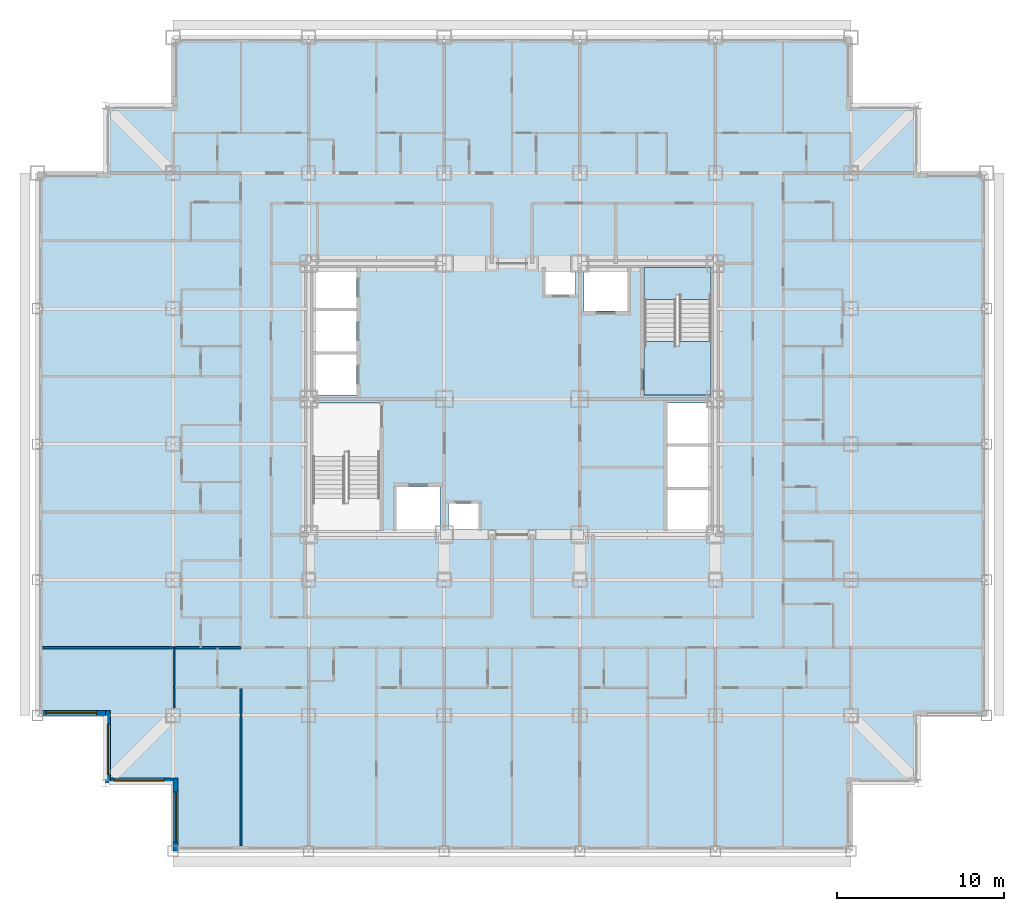
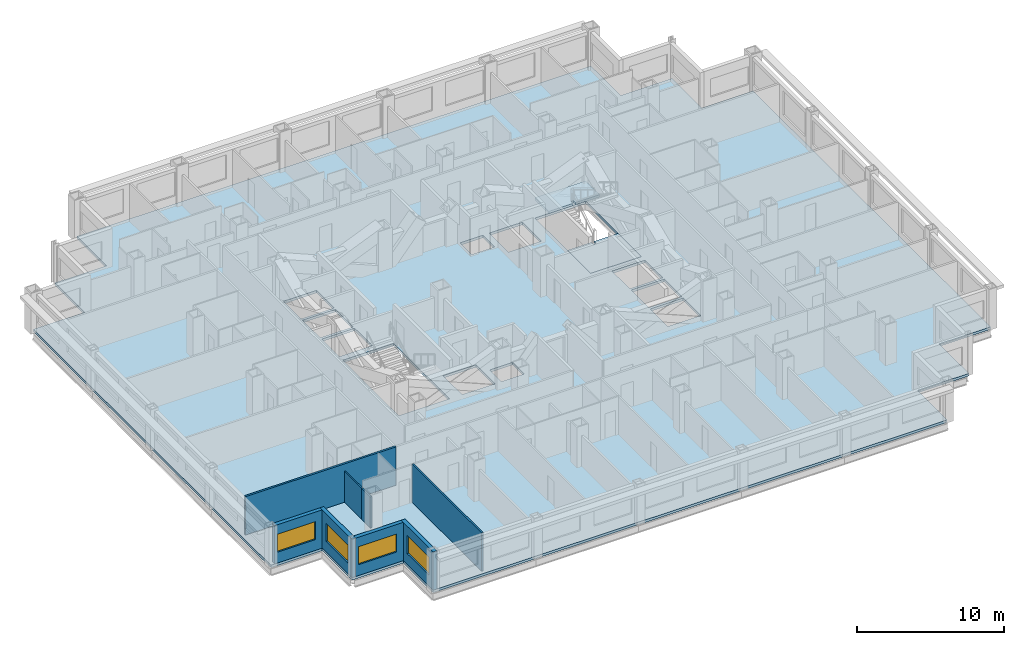
# One storey, part 3 of 12: 8 walls, 4 windows, 3 slabs, 4 openings, 1 element without a shape of its own.
"""IFC4 building model written with IfcOpenShell, lengths in metres."""

from ifc_helpers import new_model, si_unit, direction, frame, frame_2d, origin, place, context, subcontext, project, spatial, polyline, rectangle, outline, extrude, material, layer, layer_set, type_object, element, fill, aggregate, save


model = new_model("IFC4")

# Units and contexts
model_context = context("Model", 3, precision=1e-05, world=origin(), true_north=direction((0.0, 1.0)))
body_context = subcontext(model_context, "Body", "Model", "MODEL_VIEW")
ifc_project = project(units=[si_unit("LENGTHUNIT", "METRE"), si_unit("AREAUNIT", "SQUARE_METRE"), si_unit("VOLUMEUNIT", "CUBIC_METRE"), si_unit("PLANEANGLEUNIT", "RADIAN"), si_unit("MASSUNIT", "GRAM", prefix="KILO")], contexts=[model_context])

# Site, building, storey
site_placement = place(None, origin())
site = spatial("IfcSite", under=ifc_project, at=site_placement, CompositionType="ELEMENT")
building_placement = place(site_placement, origin())
building = spatial("IfcBuilding", under=site, at=building_placement, Name="Kopane Lantern Tower", CompositionType="ELEMENT")
storey_placement = place(building_placement, frame((0.0, 0.0, 120.39990234375)))
storey = spatial("IfcBuildingStorey", under=building, at=storey_placement, Name="L30", CompositionType="ELEMENT", Elevation=120.39990234375)

# Slab
ifc_material_1 = material(Name="Concrete C40/50", Category="concrete")
ifc_layer_1 = layer(ifc_material_1, 0.2099609375)
ifc_layer_set_1 = layer_set([ifc_layer_1], Name="SLAB 210 COMPOSITE")
slab_type_1 = type_object("IfcSlabType", Name="SLAB 210 COMPOSITE", PredefinedType="FLOOR", material=ifc_layer_set_1)
slab_1_placement = place(storey_placement, frame((0.0, 0.0, -0.2099609375)))
element("IfcSlab", 1, at=slab_1_placement, inside=storey, type_object=slab_type_1, Name="Floor slab L30", PredefinedType="FLOOR", context=body_context, shape_type="SweptSolid", body=[
    extrude(outline(polyline([(8.10009765625, 5.39990234375), (48.60009765625, 5.39990234375), (48.60009765625, 9.449951171875), (52.64990234375, 9.449951171875), (52.64990234375, 13.5), (56.699951171875, 13.5), (56.699951171875, 45.89990234375), (52.64990234375, 45.89990234375), (52.64990234375, 49.949951171875), (48.60009765625, 49.949951171875), (48.60009765625, 54.0), (8.10009765625, 54.0), (8.10009765625, 49.949951171875), (4.050048828125, 49.949951171875), (4.050048828125, 45.89990234375), (0.0, 45.89990234375), (0.0, 13.5), (4.050048828125, 13.5), (4.050048828125, 9.449951171875), (8.10009765625, 9.449951171875), (8.10009765625, 5.39990234375)]), holes=[polyline([(16.449951171875, 24.550048828125), (20.449951171875, 24.550048828125), (20.449951171875, 32.14990234375), (16.449951171875, 32.14990234375), (16.449951171875, 24.550048828125)]), polyline([(36.25, 32.64990234375), (40.25, 32.64990234375), (40.25, 40.25), (36.25, 40.25), (36.25, 32.64990234375)]), polyline([(16.449951171875, 32.64990234375), (19.050048828125, 32.64990234375), (19.050048828125, 35.050048828125), (16.449951171875, 35.050048828125), (16.449951171875, 32.64990234375)]), polyline([(16.449951171875, 35.25), (19.050048828125, 35.25), (19.050048828125, 37.64990234375), (16.449951171875, 37.64990234375), (16.449951171875, 35.25)]), polyline([(16.449951171875, 37.85009765625), (19.050048828125, 37.85009765625), (19.050048828125, 40.25), (16.449951171875, 40.25), (16.449951171875, 37.85009765625)]), polyline([(37.64990234375, 24.550048828125), (40.25, 24.550048828125), (40.25, 26.949951171875), (37.64990234375, 26.949951171875), (37.64990234375, 24.550048828125)]), polyline([(37.64990234375, 27.14990234375), (40.25, 27.14990234375), (40.25, 29.550048828125), (37.64990234375, 29.550048828125), (37.64990234375, 27.14990234375)]), polyline([(37.64990234375, 29.75), (40.25, 29.75), (40.25, 32.14990234375), (37.64990234375, 32.14990234375), (37.64990234375, 29.75)]), polyline([(21.449951171875, 24.550048828125), (24.050048828125, 24.550048828125), (24.050048828125, 27.14990234375), (21.449951171875, 27.14990234375), (21.449951171875, 24.550048828125)]), polyline([(32.64990234375, 37.64990234375), (35.25, 37.64990234375), (35.25, 40.25), (32.64990234375, 40.25), (32.64990234375, 37.64990234375)]), polyline([(24.550048828125, 24.550048828125), (26.35009765625, 24.550048828125), (26.35009765625, 26.14990234375), (24.550048828125, 26.14990234375), (24.550048828125, 24.550048828125)]), polyline([(30.35009765625, 38.64990234375), (32.14990234375, 38.64990234375), (32.14990234375, 40.25), (30.35009765625, 40.25), (30.35009765625, 38.64990234375)])]), origin(), (0.0, 0.0, 1.0), 0.2099609375),
])

# Stair, slabs
ifc_material_2 = material(Name="Steel S355JR", Category="steel")
stair_type = type_object("IfcStairType", Name="EXIT STAIR 1900 HALF TURN", PredefinedType="HALF_TURN_STAIR", material=ifc_material_2)
stair_placement = place(storey_placement, origin())
stair = element("IfcStair", 2, at=stair_placement, inside=storey, type_object=stair_type, Name="Exit stair ST2 L30", PredefinedType="HALF_TURN_STAIR")
ifc_material_3 = material(Name="Concrete C40/50", Category="concrete")
ifc_layer_2 = layer(ifc_material_3, 0.199951171875)
ifc_layer_set_2 = layer_set([ifc_layer_2], Name="STAIR LANDING 200")
slab_type_2 = type_object("IfcSlabType", Name="STAIR LANDING 200", PredefinedType="LANDING", material=ifc_layer_set_2)
slab_2_placement = place(storey_placement, frame((0.0, 0.0, -0.199951171875)))
slab_2 = element("IfcSlab", 3, at=slab_2_placement, type_object=slab_type_2, Name="ST2 landing 1", PredefinedType="LANDING", context=body_context, shape_type="SweptSolid", body=[
    extrude(outline(polyline([(40.25, 35.830078125), (38.35009765625, 35.830078125), (38.35009765625, 35.550048828125), (38.14990234375, 35.550048828125), (38.14990234375, 35.830078125), (36.25, 35.830078125), (36.25, 32.64990234375), (40.25, 32.64990234375), (40.25, 35.830078125)])), origin(), (0.0, 0.0, 1.0), 0.199951171875),
])
slab_3_placement = place(storey_placement, frame((0.0, 0.0, 1.5)))
slab_3 = element("IfcSlab", 4, at=slab_3_placement, type_object=slab_type_2, Name="ST2 landing 2", PredefinedType="LANDING", context=body_context, shape_type="SweptSolid", body=[
    extrude(outline(polyline([(38.14990234375, 38.6298828125), (38.35009765625, 38.6298828125), (38.35009765625, 38.35009765625), (40.25, 38.35009765625), (40.25, 40.25), (36.25, 40.25), (36.25, 38.35009765625), (38.14990234375, 38.35009765625), (38.14990234375, 38.6298828125)])), origin(), (0.0, 0.0, 1.0), 0.2001953125),
])
aggregate(stair, [slab_2, slab_3])

# Walls
ifc_material_4 = material(Name="Gypsum board on steel studs", Category="steel")
ifc_layer_3 = layer(ifc_material_4, 0.1201171875)
ifc_layer_set_3 = layer_set([ifc_layer_3], Name="APARTMENT INTERNAL WALL 120")
wall_type_1 = type_object("IfcWallType", Name="APARTMENT INTERNAL WALL 120", PredefinedType="PARTITIONING", material=ifc_layer_set_3)
wall_1_placement = place(storey_placement, frame((12.14990234375, 15.14990234375, 0.0), z_axis=(0.0, 0.0, 1.0), x_axis=(0.0, -1.0, 0.0)))
element("IfcWall", 5, at=wall_1_placement, inside=storey, type_object=wall_type_1, Name="Apartment Internal Wall 120 L30", PredefinedType="PARTITIONING", context=body_context, shape_type="SweptSolid", body=[
    extrude(rectangle(XDim=9.449951171875, YDim=0.1201171875, at=frame_2d((4.72509765625, 0.0))), origin(), (0.0, 0.0, 1.0), 3.190185546875),
])
wall_2_placement = place(storey_placement, frame((8.14990234375, 15.14990234375, 0.0), z_axis=(0.0, 0.0, 1.0), x_axis=(0.0, -1.0, 0.0)))
element("IfcWall", 6, at=wall_2_placement, inside=storey, type_object=wall_type_1, Name="Apartment Internal Wall 120 L30", PredefinedType="PARTITIONING", context=body_context, shape_type="SweptSolid", body=[
    extrude(rectangle(XDim=1.199951171875, YDim=0.1201171875, at=frame_2d((0.60009765625, 0.0))), origin(), (0.0, 0.0, 1.0), 2.577880859375),
])
ifc_material_5 = material(Name="Moisture-resistant board on steel studs", Category="steel")
ifc_layer_4 = layer(ifc_material_5, 0.10009765625)
ifc_layer_set_4 = layer_set([ifc_layer_4], Name="BATHROOM WALL 100")
wall_type_2 = type_object("IfcWallType", Name="BATHROOM WALL 100", PredefinedType="PARTITIONING", material=ifc_layer_set_4)
wall_3_placement = place(storey_placement, frame((8.14990234375, 17.550048828125, 0.0), z_axis=(0.0, 0.0, 1.0), x_axis=(0.0, -1.0, 0.0)))
element("IfcWall", 7, at=wall_3_placement, inside=storey, type_object=wall_type_2, Name="Bathroom Wall 100 L30", PredefinedType="PARTITIONING", context=body_context, shape_type="SweptSolid", body=[
    extrude(rectangle(XDim=2.400146484375, YDim=0.10009765625, at=frame_2d((1.2001953125, 0.0))), origin(), (0.0, 0.0, 1.0), 2.577880859375),
])
ifc_material_6 = material(Name="Gypsum board on steel studs", Category="steel")
ifc_layer_5 = layer(ifc_material_6, 0.14990234375)
ifc_layer_set_5 = layer_set([ifc_layer_5], Name="DEMISING WALL 150 EI 60")
wall_type_3 = type_object("IfcWallType", Name="DEMISING WALL 150 EI 60", PredefinedType="PARTITIONING", material=ifc_layer_set_5)
wall_4_placement = place(storey_placement, frame((0.300048828125, 17.550048828125, 0.0), z_axis=(0.0, 0.0, 1.0), x_axis=(1.0, 0.0, 0.0)))
element("IfcWall", 8, at=wall_4_placement, inside=storey, type_object=wall_type_3, Name="Demising Wall 150 Ei 60 L30", PredefinedType="PARTITIONING", context=body_context, shape_type="SweptSolid", body=[
    extrude(rectangle(XDim=11.849853515625, YDim=0.14990234375, at=frame_2d((5.9248046875, 0.0))), origin(), (0.0, 0.0, 1.0), 3.190185546875),
])

# Wall, opening, window
ifc_material_7 = material(Name="Terracotta rainscreen on light steel framing", Category="masonry")
ifc_layer_6 = layer(ifc_material_7, 0.300048828125)
ifc_layer_set_6 = layer_set([ifc_layer_6], Name="EXTERNAL WALL EW1 300 TERRACOTTA")
wall_type_4 = type_object("IfcWallType", Name="EXTERNAL WALL EW1 300 TERRACOTTA", PredefinedType="SOLIDWALL", material=ifc_layer_set_6)
wall_5_placement = place(storey_placement, frame((0.300048828125, 13.64990234375, 0.0), z_axis=(0.0, 0.0, 1.0), x_axis=(1.0, 0.0, 0.0)))
wall_5 = element("IfcWall", 9, at=wall_5_placement, inside=storey, type_object=wall_type_4, Name="External wall S L30", PredefinedType="SOLIDWALL", context=body_context, shape_type="SweptSolid", body=[
    extrude(rectangle(XDim=3.75, YDim=0.300048828125, at=frame_2d((1.875, 0.0))), origin(), (0.0, 0.0, 1.0), 3.190185546875),
])
opening_1_placement = place(wall_5_placement, frame((0.22509765625, 0.0, 0.89990234375)))
opening_1 = element("IfcOpeningElement", 10, at=opening_1_placement, cuts=wall_5, Name="Opening WR300150", PredefinedType="OPENING", context=body_context, shape_type="SweptSolid", body=[
    extrude(rectangle(XDim=3.0, YDim=1.5, at=frame_2d((1.5, 0.75))), frame((0.0, 0.159912109375, 0.0), z_axis=(0.0, -1.0, 0.0), x_axis=(1.0, 0.0, 0.0)), (0.0, 0.0, 1.0), 0.320068359375),
])
ifc_material_8 = material(Name="Aluminium and clear glass", Category="aluminium")
window_type = type_object("IfcWindowType", Name="RIBBON WINDOW WR300150 3000x1500", PartitioningType="SINGLE_PANEL", PredefinedType="WINDOW", material=ifc_material_8)
window_1_placement = place(opening_1_placement, origin())
window_1 = element("IfcWindow", 11, at=window_1_placement, inside=storey, type_object=window_type, Name="Window S L30", OverallHeight=1.5, OverallWidth=3.0, PartitioningType="SINGLE_PANEL", PredefinedType="WINDOW", context=body_context, shape_type="SweptSolid", body=[
    extrude(rectangle(XDim=3.0, YDim=1.5, at=frame_2d((1.5, 0.75))), frame((0.0, 0.030029296875, 0.0), z_axis=(0.0, -1.0, 0.0), x_axis=(1.0, 0.0, 0.0)), (0.0, 0.0, 1.0), 0.06005859375),
])
fill(opening_1, window_1)

wall_6_placement = place(storey_placement, frame((4.199951171875, 13.800048828125, 0.0), z_axis=(0.0, 0.0, 1.0), x_axis=(0.0, -1.0, 0.0)))
wall_6 = element("IfcWall", 12, at=wall_6_placement, inside=storey, type_object=wall_type_4, Name="External wall W L30", PredefinedType="SOLIDWALL", context=body_context, shape_type="SweptSolid", body=[
    extrude(rectangle(XDim=4.35009765625, YDim=0.300048828125, at=frame_2d((2.175048828125, 0.0))), origin(), (0.0, 0.0, 1.0), 3.190185546875),
])
opening_2_placement = place(wall_6_placement, frame((0.824951171875, 0.0, 0.89990234375)))
opening_2 = element("IfcOpeningElement", 13, at=opening_2_placement, cuts=wall_6, Name="Opening WR300150", PredefinedType="OPENING", context=body_context, shape_type="SweptSolid", body=[
    extrude(rectangle(XDim=3.0, YDim=1.5, at=frame_2d((1.5, 0.75))), frame((0.0, 0.159912109375, 0.0), z_axis=(0.0, -1.0, 0.0), x_axis=(1.0, 0.0, 0.0)), (0.0, 0.0, 1.0), 0.320068359375),
])
window_2_placement = place(opening_2_placement, origin())
window_2 = element("IfcWindow", 14, at=window_2_placement, inside=storey, type_object=window_type, Name="Window W L30", OverallHeight=1.5, OverallWidth=3.0, PartitioningType="SINGLE_PANEL", PredefinedType="WINDOW", context=body_context, shape_type="SweptSolid", body=[
    extrude(rectangle(XDim=3.0, YDim=1.5, at=frame_2d((1.5, 0.75))), frame((0.0, 0.030029296875, 0.0), z_axis=(0.0, -1.0, 0.0), x_axis=(1.0, 0.0, 0.0)), (0.0, 0.0, 1.0), 0.06005859375),
])
fill(opening_2, window_2)

wall_7_placement = place(storey_placement, frame((4.35009765625, 9.60009765625, 0.0), z_axis=(0.0, 0.0, 1.0), x_axis=(1.0, 0.0, 0.0)))
wall_7 = element("IfcWall", 15, at=wall_7_placement, inside=storey, type_object=wall_type_4, Name="External wall S L30", PredefinedType="SOLIDWALL", context=body_context, shape_type="SweptSolid", body=[
    extrude(rectangle(XDim=3.75, YDim=0.300048828125, at=frame_2d((1.875, 0.0))), origin(), (0.0, 0.0, 1.0), 3.190185546875),
])
opening_3_placement = place(wall_7_placement, frame((0.22509765625, 0.0, 0.89990234375)))
opening_3 = element("IfcOpeningElement", 16, at=opening_3_placement, cuts=wall_7, Name="Opening WR300150", PredefinedType="OPENING", context=body_context, shape_type="SweptSolid", body=[
    extrude(rectangle(XDim=3.0, YDim=1.5, at=frame_2d((1.5, 0.75))), frame((0.0, 0.159912109375, 0.0), z_axis=(0.0, -1.0, 0.0), x_axis=(1.0, 0.0, 0.0)), (0.0, 0.0, 1.0), 0.320068359375),
])
window_3_placement = place(opening_3_placement, origin())
window_3 = element("IfcWindow", 17, at=window_3_placement, inside=storey, type_object=window_type, Name="Window S L30", OverallHeight=1.5, OverallWidth=3.0, PartitioningType="SINGLE_PANEL", PredefinedType="WINDOW", context=body_context, shape_type="SweptSolid", body=[
    extrude(rectangle(XDim=3.0, YDim=1.5, at=frame_2d((1.5, 0.75))), frame((0.0, 0.030029296875, 0.0), z_axis=(0.0, -1.0, 0.0), x_axis=(1.0, 0.0, 0.0)), (0.0, 0.0, 1.0), 0.06005859375),
])
fill(opening_3, window_3)

wall_8_placement = place(storey_placement, frame((8.25, 9.75, 0.0), z_axis=(0.0, 0.0, 1.0), x_axis=(0.0, -1.0, 0.0)))
wall_8 = element("IfcWall", 18, at=wall_8_placement, inside=storey, type_object=wall_type_4, Name="External wall W L30", PredefinedType="SOLIDWALL", context=body_context, shape_type="SweptSolid", body=[
    extrude(rectangle(XDim=4.35009765625, YDim=0.300048828125, at=frame_2d((2.175048828125, 0.0))), origin(), (0.0, 0.0, 1.0), 3.190185546875),
])
opening_4_placement = place(wall_8_placement, frame((0.824951171875, 0.0, 0.89990234375)))
opening_4 = element("IfcOpeningElement", 19, at=opening_4_placement, cuts=wall_8, Name="Opening WR300150", PredefinedType="OPENING", context=body_context, shape_type="SweptSolid", body=[
    extrude(rectangle(XDim=3.0, YDim=1.5, at=frame_2d((1.5, 0.75))), frame((0.0, 0.159912109375, 0.0), z_axis=(0.0, -1.0, 0.0), x_axis=(1.0, 0.0, 0.0)), (0.0, 0.0, 1.0), 0.320068359375),
])
window_4_placement = place(opening_4_placement, origin())
window_4 = element("IfcWindow", 20, at=window_4_placement, inside=storey, type_object=window_type, Name="Window W L30", OverallHeight=1.5, OverallWidth=3.0, PartitioningType="SINGLE_PANEL", PredefinedType="WINDOW", context=body_context, shape_type="SweptSolid", body=[
    extrude(rectangle(XDim=3.0, YDim=1.5, at=frame_2d((1.5, 0.75))), frame((0.0, 0.030029296875, 0.0), z_axis=(0.0, -1.0, 0.0), x_axis=(1.0, 0.0, 0.0)), (0.0, 0.0, 1.0), 0.06005859375),
])
fill(opening_4, window_4)

save(model, "model.ifc")
